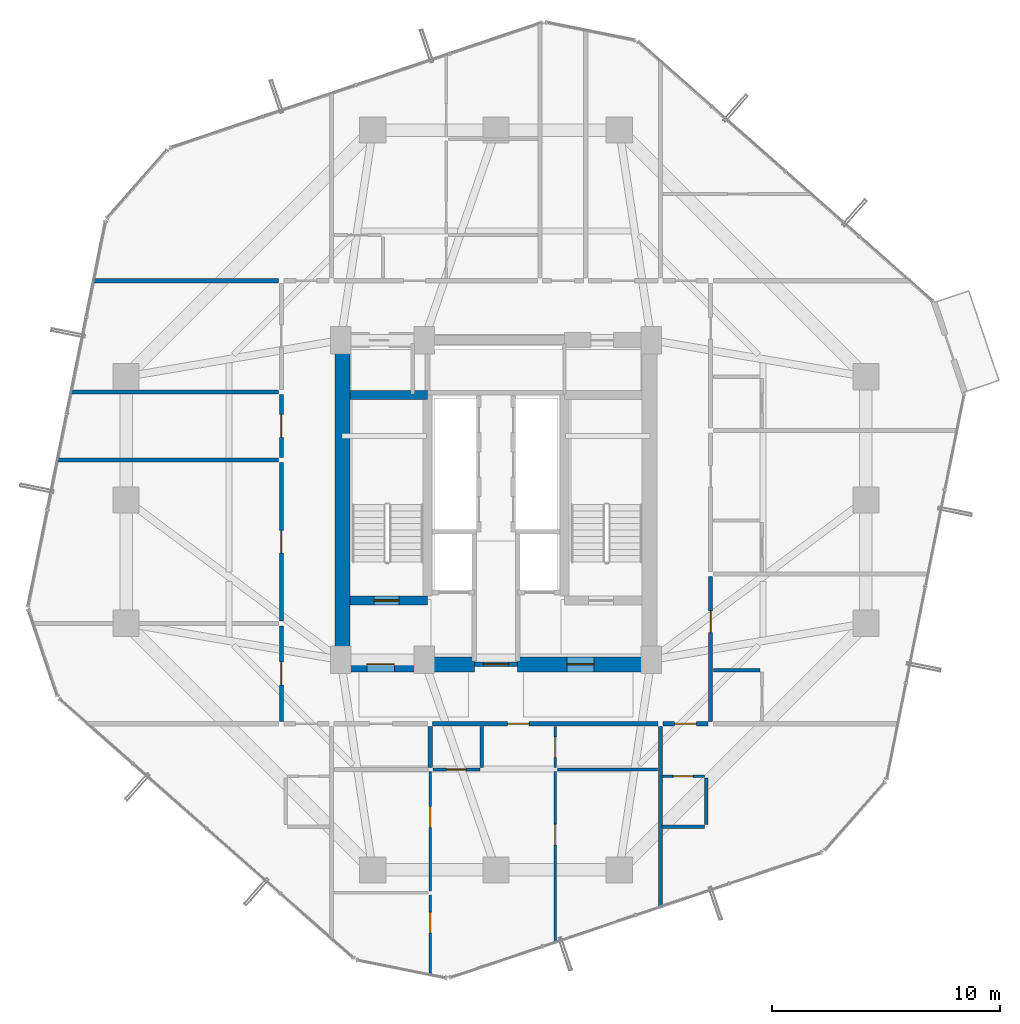
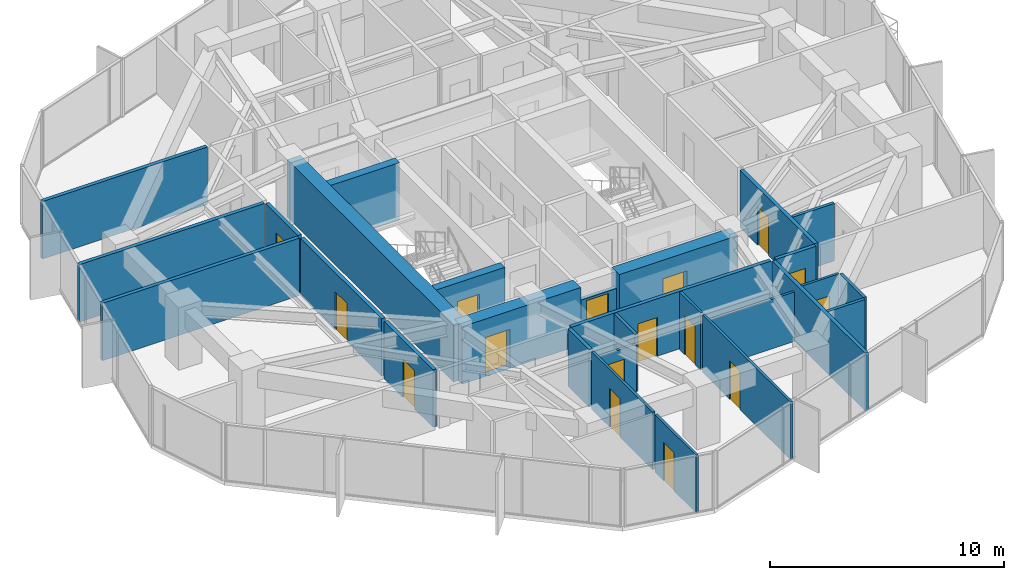
# One storey, part 28 of 32: 28 walls, 16 doors, 16 openings.
"""IFC4 building model written with IfcOpenShell, lengths in metres."""

from ifc_helpers import new_model, si_unit, direction, frame, frame_2d, origin, place, context, subcontext, project, spatial, rectangle, extrude, source, transform, mapped, material, layer, layer_set, type_object, element, fill, save


model = new_model("IFC4")

# Units and contexts
model_context = context("Model", 3, precision=1e-05, world=origin(), true_north=direction((0.0, 1.0)))
body_context = subcontext(model_context, "Body", "Model", "MODEL_VIEW")
ifc_project = project(units=[si_unit("LENGTHUNIT", "METRE"), si_unit("AREAUNIT", "SQUARE_METRE"), si_unit("VOLUMEUNIT", "CUBIC_METRE"), si_unit("PLANEANGLEUNIT", "RADIAN"), si_unit("MASSUNIT", "GRAM", prefix="KILO")], contexts=[model_context])

# Site, building, storey
site_placement = place(None, origin())
site = spatial("IfcSite", under=ifc_project, at=site_placement, CompositionType="ELEMENT")
building_placement = place(site_placement, origin())
building = spatial("IfcBuilding", under=site, at=building_placement, Name="Veraguas Prism Commons", CompositionType="ELEMENT")
storey_placement = place(building_placement, frame((0.0, 0.0, 89.449951171875)))
storey = spatial("IfcBuildingStorey", under=building, at=storey_placement, Name="L24", CompositionType="ELEMENT", Elevation=89.449951171875)

# Wall, opening, door
ifc_material_1 = material(Name="Concrete C50/60", Category="concrete")
ifc_layer_1 = layer(ifc_material_1, 0.39990234375, Name="Clinic and Mid Core Shear Wall RC 400", Category="concrete")
ifc_layer_set_1 = layer_set([ifc_layer_1], Name="Concrete C50/60")
wall_type_1 = type_object("IfcWallType", Name="Clinic and Mid Core Shear Wall RC 400", PredefinedType="SHEAR", material=ifc_layer_set_1)
wall_1_placement = place(storey_placement, frame((17.60009765625, 19.60009765625, 0.0), z_axis=(0.0, 0.0, 1.0), x_axis=(1.0, 0.0, 0.0)))
wall_1 = element("IfcWall", 1, at=wall_1_placement, inside=storey, type_object=wall_type_1, Name="Stair ST-01 South Shear Wall L24", PredefinedType="SHEAR", context=body_context, shape_type="SweptSolid", body=[
    extrude(rectangle(XDim=3.39990234375, YDim=0.39990234375, at=frame_2d((1.699951171875, 0.0))), origin(), (0.0, 0.0, 1.0), 3.0),
])
opening_1_placement = place(wall_1_placement, frame((1.050048828125, 0.0, 0.0)))
opening_1 = element("IfcOpeningElement", 2, at=opening_1_placement, cuts=wall_1, Name="Opening DR-05", PredefinedType="OPENING", context=body_context, shape_type="SweptSolid", body=[
    extrude(rectangle(XDim=1.10009765625, YDim=2.030029296875, at=frame_2d((0.550048828125, 1.01513671875))), frame((0.0, 0.2099609375, 0.0), z_axis=(0.0, -1.0, 0.0), x_axis=(1.0, 0.0, 0.0)), (0.0, 0.0, 1.0), 0.419921875),
])
ifc_material_2 = material(Name="Steel fire-rated door assembly", Category="steel")
door_type_1 = type_object("IfcDoorType", Name="Protected Stair and Refuge Fire Door 1100x2030", OperationType="NOTDEFINED", PredefinedType="DOOR", material=ifc_material_2)
shared_shape_1 = source(origin(), body_context, "Body", "SweptSolid", [
    extrude(rectangle(XDim=1.10009765625, YDim=2.030029296875, at=frame_2d((0.550048828125, 1.01513671875))), frame((0.0, 0.02490234375, 0.0), z_axis=(0.0, -1.0, 0.0), x_axis=(1.0, 0.0, 0.0)), (0.0, 0.0, 1.0), 0.050048828125),
])
door_1_placement = place(opening_1_placement, origin())
door_1 = element("IfcDoor", 3, at=door_1_placement, inside=storey, type_object=door_type_1, Name="Stair ST-01 Enclosure Door L24", OperationType="SINGLE_SWING_RIGHT", OverallHeight=2.030029296875, OverallWidth=1.10009765625, PredefinedType="DOOR", context=body_context, shape_type="MappedRepresentation", body=[
    mapped(shared_shape_1, transform((0.0, 0.0, 0.0), scale=1.0)),
])
fill(opening_1, door_1)

# Walls
wall_2_placement = place(storey_placement, frame((17.60009765625, 28.60009765625, 0.0), z_axis=(0.0, 0.0, 1.0), x_axis=(1.0, 0.0, 0.0)))
element("IfcWall", 4, at=wall_2_placement, inside=storey, type_object=wall_type_1, Name="Stair ST-01 North Shear Wall L24", PredefinedType="SHEAR", context=body_context, shape_type="SweptSolid", body=[
    extrude(rectangle(XDim=3.39990234375, YDim=0.39990234375, at=frame_2d((1.699951171875, 0.0))), origin(), (0.0, 0.0, 1.0), 3.0),
])
ifc_material_3 = material(Name="Concrete C55/67", Category="concrete")
ifc_layer_2 = layer(ifc_material_3, 0.64990234375, Name="Core Outer Shear Wall Mid RC 650", Category="concrete")
ifc_layer_set_2 = layer_set([ifc_layer_2], Name="Concrete C55/67")
wall_type_2 = type_object("IfcWallType", Name="Core Outer Shear Wall Mid RC 650", PredefinedType="SHEAR", material=ifc_layer_set_2)
wall_3_placement = place(storey_placement, frame((17.27490234375, 16.800048828125, 0.0), z_axis=(0.0, 0.0, 1.0), x_axis=(0.0, 1.0, 0.0)))
element("IfcWall", 5, at=wall_3_placement, inside=storey, type_object=wall_type_2, Name="Central Core West Shear Wall L24", PredefinedType="SHEAR", context=body_context, shape_type="SweptSolid", body=[
    extrude(rectangle(XDim=14.199951171875, YDim=0.64990234375, at=frame_2d((7.10009765625, 0.0))), origin(), (0.0, 0.0, 1.0), 3.0),
])

# Wall, opening, door
wall_4_placement = place(storey_placement, frame((17.199951171875, 16.800048828125, 0.0), z_axis=(0.0, 0.0, 1.0), x_axis=(1.0, 0.0, 0.0)))
wall_4 = element("IfcWall", 6, at=wall_4_placement, inside=storey, type_object=wall_type_2, Name="Central Core South-West Shear Wall L24", PredefinedType="SHEAR", context=body_context, shape_type="SweptSolid", body=[
    extrude(rectangle(XDim=5.85009765625, YDim=0.64990234375, at=frame_2d((2.925048828125, 0.0))), origin(), (0.0, 0.0, 1.0), 3.0),
])
opening_2_placement = place(wall_4_placement, frame((1.14990234375, 0.0, 0.0)))
opening_2 = element("IfcOpeningElement", 7, at=opening_2_placement, cuts=wall_4, Name="Opening DR-06", PredefinedType="OPENING", context=body_context, shape_type="SweptSolid", body=[
    extrude(rectangle(XDim=1.199951171875, YDim=2.030029296875, at=frame_2d((0.60009765625, 1.01513671875))), frame((0.0, 0.3349609375, 0.0), z_axis=(0.0, -1.0, 0.0), x_axis=(1.0, 0.0, 0.0)), (0.0, 0.0, 1.0), 0.669921875),
])
door_type_2 = type_object("IfcDoorType", Name="Firefighting Lobby Smoke Door 1200x2030", OperationType="NOTDEFINED", PredefinedType="DOOR", material=ifc_material_2)
shared_shape_2 = source(origin(), body_context, "Body", "SweptSolid", [
    extrude(rectangle(XDim=1.199951171875, YDim=2.030029296875, at=frame_2d((0.60009765625, 1.01513671875))), frame((0.0, 0.02490234375, 0.0), z_axis=(0.0, -1.0, 0.0), x_axis=(1.0, 0.0, 0.0)), (0.0, 0.0, 1.0), 0.050048828125),
])
door_2_placement = place(opening_2_placement, origin())
door_2 = element("IfcDoor", 8, at=door_2_placement, inside=storey, type_object=door_type_2, Name="West FF Lobby Door L24", OperationType="SINGLE_SWING_LEFT", OverallHeight=2.030029296875, OverallWidth=1.199951171875, PredefinedType="DOOR", context=body_context, shape_type="MappedRepresentation", body=[
    mapped(shared_shape_2, transform((0.0, 0.0, 0.0), scale=1.0)),
])
fill(opening_2, door_2)

wall_5_placement = place(storey_placement, frame((24.949951171875, 16.800048828125, 0.0), z_axis=(0.0, 0.0, 1.0), x_axis=(1.0, 0.0, 0.0)))
wall_5 = element("IfcWall", 9, at=wall_5_placement, inside=storey, type_object=wall_type_2, Name="Central Core South-East Shear Wall L24", PredefinedType="SHEAR", context=body_context, shape_type="SweptSolid", body=[
    extrude(rectangle(XDim=5.85009765625, YDim=0.64990234375, at=frame_2d((2.925048828125, 0.0))), origin(), (0.0, 0.0, 1.0), 3.0),
])
opening_3_placement = place(wall_5_placement, frame((2.14990234375, 0.0, 0.0)))
opening_3 = element("IfcOpeningElement", 10, at=opening_3_placement, cuts=wall_5, Name="Opening DR-06", PredefinedType="OPENING", context=body_context, shape_type="SweptSolid", body=[
    extrude(rectangle(XDim=1.199951171875, YDim=2.030029296875, at=frame_2d((0.60009765625, 1.01513671875))), frame((0.0, 0.3349609375, 0.0), z_axis=(0.0, -1.0, 0.0), x_axis=(1.0, 0.0, 0.0)), (0.0, 0.0, 1.0), 0.669921875),
])
door_3_placement = place(opening_3_placement, origin())
door_3 = element("IfcDoor", 11, at=door_3_placement, inside=storey, type_object=door_type_2, Name="East FF Lobby Door L24", OperationType="SINGLE_SWING_LEFT", OverallHeight=2.030029296875, OverallWidth=1.199951171875, PredefinedType="DOOR", context=body_context, shape_type="MappedRepresentation", body=[
    mapped(shared_shape_2, transform((0.0, 0.0, 0.0), scale=1.0)),
])
fill(opening_3, door_3)

# Wall
ifc_material_4 = material(Name="Autoclaved aerated masonry block 10 MPa", Category="masonry")
ifc_layer_3 = layer(ifc_material_4, 0.179931640625, Name="Corridor and Inter-Tenancy Partition 180", Category="masonry")
ifc_layer_set_3 = layer_set([ifc_layer_3], Name="Autoclaved aerated masonry block 10 MPa")
wall_type_3 = type_object("IfcWallType", Name="Corridor and Inter-Tenancy Partition 180", PredefinedType="PARTITIONING", material=ifc_layer_set_3)
wall_6_placement = place(storey_placement, frame((31.199951171875, 14.080078125, 0.0), z_axis=(0.0, 0.0, 1.0), x_axis=(0.0, -1.0, 0.0)))
element("IfcWall", 12, at=wall_6_placement, inside=storey, type_object=wall_type_3, Name="WL-L24-PT002", PredefinedType="PARTITIONING", context=body_context, shape_type="SweptSolid", body=[
    extrude(rectangle(XDim=7.927978515625, YDim=0.179931640625, at=frame_2d((3.9638671875, 0.0))), origin(), (0.0, 0.0, 1.0), 3.0),
])

# Wall, opening, door
wall_7_placement = place(storey_placement, frame((21.22998046875, 14.199951171875, 0.0), z_axis=(0.0, 0.0, 1.0), x_axis=(1.0, 0.0, 0.0)))
wall_7 = element("IfcWall", 13, at=wall_7_placement, inside=storey, type_object=wall_type_3, Name="WL-L24-PT004", PredefinedType="PARTITIONING", context=body_context, shape_type="SweptSolid", body=[
    extrude(rectangle(XDim=9.860107421875, YDim=0.179931640625, at=frame_2d((4.93017578125, 0.0))), origin(), (0.0, 0.0, 1.0), 3.0),
])
opening_4_placement = place(wall_7_placement, frame((3.27587890625, 0.0, 0.0)))
opening_4 = element("IfcOpeningElement", 14, at=opening_4_placement, cuts=wall_7, Name="Opening DR-01", PredefinedType="OPENING", context=body_context, shape_type="SweptSolid", body=[
    extrude(rectangle(XDim=0.949951171875, YDim=2.02001953125, at=frame_2d((0.47509765625, 1.010009765625))), frame((0.0, 0.099853515625, 0.0), z_axis=(0.0, -1.0, 0.0), x_axis=(1.0, 0.0, 0.0)), (0.0, 0.0, 1.0), 0.199951171875),
])
ifc_material_5 = material(Name="Anodised aluminium EN AW-6063 T6", Category="aluminium")
door_type_3 = type_object("IfcDoorType", Name="Apartment Entrance Fire Door 950x2020", OperationType="NOTDEFINED", PredefinedType="DOOR", material=ifc_material_5)
shared_shape_3 = source(origin(), body_context, "Body", "SweptSolid", [
    extrude(rectangle(XDim=0.949951171875, YDim=2.02001953125, at=frame_2d((0.47509765625, 1.010009765625))), frame((0.0, 0.02490234375, 0.0), z_axis=(0.0, -1.0, 0.0), x_axis=(1.0, 0.0, 0.0)), (0.0, 0.0, 1.0), 0.050048828125),
])
door_4_placement = place(opening_4_placement, origin())
door_4 = element("IfcDoor", 15, at=door_4_placement, inside=storey, type_object=door_type_3, Name="Flat 24A Entrance Door", OperationType="SINGLE_SWING_LEFT", OverallHeight=2.02001953125, OverallWidth=0.949951171875, PredefinedType="DOOR", context=body_context, shape_type="MappedRepresentation", body=[
    mapped(shared_shape_3, transform((0.0, 0.0, 0.0), scale=1.0)),
])
fill(opening_4, door_4)

# Walls
wall_8_placement = place(storey_placement, frame((21.1201171875, 14.080078125, 0.0), z_axis=(0.0, 0.0, 1.0), x_axis=(0.0, -1.0, 0.0)))
element("IfcWall", 16, at=wall_8_placement, inside=storey, type_object=wall_type_3, Name="WL-L24-PT008", PredefinedType="PARTITIONING", context=body_context, shape_type="SweptSolid", body=[
    extrude(rectangle(XDim=1.800048828125, YDim=0.179931640625, at=frame_2d((0.89990234375, 0.0))), origin(), (0.0, 0.0, 1.0), 3.0),
])
wall_9_placement = place(storey_placement, frame((14.47998046875, 33.60009765625, 0.0), z_axis=(0.0, 0.0, 1.0), x_axis=(-1.0, 0.0, 0.0)))
element("IfcWall", 17, at=wall_9_placement, inside=storey, type_object=wall_type_3, Name="WL-L24-PT030", PredefinedType="PARTITIONING", context=body_context, shape_type="SweptSolid", body=[
    extrude(rectangle(XDim=8.1455078125, YDim=0.179931640625, at=frame_2d((4.07275390625, 0.0))), origin(), (0.0, 0.0, 1.0), 3.0),
])

# Wall, opening, door
wall_10_placement = place(storey_placement, frame((14.60009765625, 14.31005859375, 0.0), z_axis=(0.0, 0.0, 1.0), x_axis=(0.0, 1.0, 0.0)))
wall_10 = element("IfcWall", 18, at=wall_10_placement, inside=storey, type_object=wall_type_3, Name="WL-L24-PT031", PredefinedType="PARTITIONING", context=body_context, shape_type="SweptSolid", body=[
    extrude(rectangle(XDim=4.171875, YDim=0.179931640625, at=frame_2d((2.0859375, 0.0))), origin(), (0.0, 0.0, 1.0), 3.0),
])
opening_5_placement = place(wall_10_placement, frame((1.5859375, 0.0, 0.0)))
opening_5 = element("IfcOpeningElement", 19, at=opening_5_placement, cuts=wall_10, Name="Opening DR-13", PredefinedType="OPENING", context=body_context, shape_type="SweptSolid", body=[
    extrude(rectangle(XDim=1.0, YDim=2.010009765625, at=frame_2d((0.5, 1.0048828125))), frame((0.0, 0.099853515625, 0.0), z_axis=(0.0, -1.0, 0.0), x_axis=(1.0, 0.0, 0.0)), (0.0, 0.0, 1.0), 0.199951171875),
])
door_type_4 = type_object("IfcDoorType", Name="Core Accessible WC and Clinic Fire Door 1000x2010", OperationType="NOTDEFINED", PredefinedType="DOOR", material=ifc_material_2)
shared_shape_4 = source(origin(), body_context, "Body", "SweptSolid", [
    extrude(rectangle(XDim=1.0, YDim=2.010009765625, at=frame_2d((0.5, 1.0048828125))), frame((0.0, 0.02490234375, 0.0), z_axis=(0.0, -1.0, 0.0), x_axis=(1.0, 0.0, 0.0)), (0.0, 0.0, 1.0), 0.050048828125),
])
door_5_placement = place(opening_5_placement, origin())
door_5 = element("IfcDoor", 20, at=door_5_placement, inside=storey, type_object=door_type_4, Name="Residents Study Room Door", OperationType="SINGLE_SWING_RIGHT", OverallHeight=2.010009765625, OverallWidth=1.0, PredefinedType="DOOR", context=body_context, shape_type="MappedRepresentation", body=[
    mapped(shared_shape_4, transform((0.0, 0.0, 0.0), scale=1.0)),
])
fill(opening_5, door_5)

wall_11_placement = place(storey_placement, frame((14.60009765625, 18.701904296875, 0.0), z_axis=(0.0, 0.0, 1.0), x_axis=(0.0, 1.0, 0.0)))
wall_11 = element("IfcWall", 21, at=wall_11_placement, inside=storey, type_object=wall_type_3, Name="WL-L24-PT032", PredefinedType="PARTITIONING", context=body_context, shape_type="SweptSolid", body=[
    extrude(rectangle(XDim=6.946044921875, YDim=0.179931640625, at=frame_2d((3.47314453125, 0.0))), origin(), (0.0, 0.0, 1.0), 3.0),
])
opening_6_placement = place(wall_11_placement, frame((2.972900390625, 0.0, 0.0)))
opening_6 = element("IfcOpeningElement", 22, at=opening_6_placement, cuts=wall_11, Name="Opening DR-13", PredefinedType="OPENING", context=body_context, shape_type="SweptSolid", body=[
    extrude(rectangle(XDim=1.0, YDim=2.010009765625, at=frame_2d((0.5, 1.0048828125))), frame((0.0, 0.099853515625, 0.0), z_axis=(0.0, -1.0, 0.0), x_axis=(1.0, 0.0, 0.0)), (0.0, 0.0, 1.0), 0.199951171875),
])
door_6_placement = place(opening_6_placement, origin())
door_6 = element("IfcDoor", 23, at=door_6_placement, inside=storey, type_object=door_type_4, Name="Co-op Store W Door", OperationType="SINGLE_SWING_LEFT", OverallHeight=2.010009765625, OverallWidth=1.0, PredefinedType="DOOR", context=body_context, shape_type="MappedRepresentation", body=[
    mapped(shared_shape_4, transform((0.0, 0.0, 0.0), scale=1.0)),
])
fill(opening_6, door_6)

# Wall
wall_12_placement = place(storey_placement, frame((14.47998046875, 25.758056640625, 0.0), z_axis=(0.0, 0.0, 1.0), x_axis=(-1.0, 0.0, 0.0)))
element("IfcWall", 24, at=wall_12_placement, inside=storey, type_object=wall_type_3, Name="WL-L24-PT034", PredefinedType="PARTITIONING", context=body_context, shape_type="SweptSolid", body=[
    extrude(rectangle(XDim=9.723876953125, YDim=0.179931640625, at=frame_2d((4.86181640625, 0.0))), origin(), (0.0, 0.0, 1.0), 3.0),
])

# Wall, opening, door
wall_13_placement = place(storey_placement, frame((14.60009765625, 25.867919921875, 0.0), z_axis=(0.0, 0.0, 1.0), x_axis=(0.0, 1.0, 0.0)))
wall_13 = element("IfcWall", 25, at=wall_13_placement, inside=storey, type_object=wall_type_3, Name="WL-L24-PT035", PredefinedType="PARTITIONING", context=body_context, shape_type="SweptSolid", body=[
    extrude(rectangle(XDim=2.760009765625, YDim=0.179931640625, at=frame_2d((1.3798828125, 0.0))), origin(), (0.0, 0.0, 1.0), 3.0),
])
opening_7_placement = place(wall_13_placement, frame((0.8798828125, 0.0, 0.0)))
opening_7 = element("IfcOpeningElement", 26, at=opening_7_placement, cuts=wall_13, Name="Opening DR-13", PredefinedType="OPENING", context=body_context, shape_type="SweptSolid", body=[
    extrude(rectangle(XDim=1.0, YDim=2.010009765625, at=frame_2d((0.5, 1.0048828125))), frame((0.0, 0.099853515625, 0.0), z_axis=(0.0, -1.0, 0.0), x_axis=(1.0, 0.0, 0.0)), (0.0, 0.0, 1.0), 0.199951171875),
])
door_7_placement = place(opening_7_placement, origin())
door_7 = element("IfcDoor", 27, at=door_7_placement, inside=storey, type_object=door_type_4, Name="Shared Laundry Room Door", OperationType="SINGLE_SWING_RIGHT", OverallHeight=2.010009765625, OverallWidth=1.0, PredefinedType="DOOR", context=body_context, shape_type="MappedRepresentation", body=[
    mapped(shared_shape_4, transform((0.0, 0.0, 0.0), scale=1.0)),
])
fill(opening_7, door_7)

# Wall
wall_14_placement = place(storey_placement, frame((14.47998046875, 28.738037109375, 0.0), z_axis=(0.0, 0.0, 1.0), x_axis=(-1.0, 0.0, 0.0)))
element("IfcWall", 28, at=wall_14_placement, inside=storey, type_object=wall_type_3, Name="WL-L24-PT037", PredefinedType="PARTITIONING", context=body_context, shape_type="SweptSolid", body=[
    extrude(rectangle(XDim=9.1240234375, YDim=0.179931640625, at=frame_2d((4.56201171875, 0.0))), origin(), (0.0, 0.0, 1.0), 3.0),
])

# Wall, opening, door
wall_15_placement = place(storey_placement, frame((33.39990234375, 14.31005859375, 0.0), z_axis=(0.0, 0.0, 1.0), x_axis=(0.0, 1.0, 0.0)))
wall_15 = element("IfcWall", 29, at=wall_15_placement, inside=storey, type_object=wall_type_3, Name="WL-L24-PT040", PredefinedType="PARTITIONING", context=body_context, shape_type="SweptSolid", body=[
    extrude(rectangle(XDim=6.33203125, YDim=0.179931640625, at=frame_2d((3.166015625, 0.0))), origin(), (0.0, 0.0, 1.0), 3.0),
])
opening_8_placement = place(wall_15_placement, frame((3.88671875, 0.0, 0.0)))
opening_8 = element("IfcOpeningElement", 30, at=opening_8_placement, cuts=wall_15, Name="Opening DR-01", PredefinedType="OPENING", context=body_context, shape_type="SweptSolid", body=[
    extrude(rectangle(XDim=0.949951171875, YDim=2.02001953125, at=frame_2d((0.47509765625, 1.010009765625))), frame((0.0, 0.099853515625, 0.0), z_axis=(0.0, -1.0, 0.0), x_axis=(1.0, 0.0, 0.0)), (0.0, 0.0, 1.0), 0.199951171875),
])
door_8_placement = place(opening_8_placement, origin())
door_8 = element("IfcDoor", 31, at=door_8_placement, inside=storey, type_object=door_type_3, Name="Studio 24C Entrance Door", OperationType="SINGLE_SWING_RIGHT", OverallHeight=2.02001953125, OverallWidth=0.949951171875, PredefinedType="DOOR", context=body_context, shape_type="MappedRepresentation", body=[
    mapped(shared_shape_3, transform((0.0, 0.0, 0.0), scale=1.0)),
])
fill(opening_8, door_8)

wall_16_placement = place(storey_placement, frame((31.320068359375, 14.199951171875, 0.0), z_axis=(0.0, 0.0, 1.0), x_axis=(1.0, 0.0, 0.0)))
wall_16 = element("IfcWall", 32, at=wall_16_placement, inside=storey, type_object=wall_type_3, Name="WL-L24-PT055", PredefinedType="PARTITIONING", context=body_context, shape_type="SweptSolid", body=[
    extrude(rectangle(XDim=1.9599609375, YDim=0.179931640625, at=frame_2d((0.97998046875, 0.0))), origin(), (0.0, 0.0, 1.0), 3.0),
])
opening_9_placement = place(wall_16_placement, frame((0.5048828125, 0.0, 0.0)))
opening_9 = element("IfcOpeningElement", 33, at=opening_9_placement, cuts=wall_16, Name="Opening DR-01", PredefinedType="OPENING", context=body_context, shape_type="SweptSolid", body=[
    extrude(rectangle(XDim=0.949951171875, YDim=2.02001953125, at=frame_2d((0.47509765625, 1.010009765625))), frame((0.0, 0.099853515625, 0.0), z_axis=(0.0, -1.0, 0.0), x_axis=(1.0, 0.0, 0.0)), (0.0, 0.0, 1.0), 0.199951171875),
])
door_9_placement = place(opening_9_placement, origin())
door_9 = element("IfcDoor", 34, at=door_9_placement, inside=storey, type_object=door_type_3, Name="Studio 24G Entrance Door", OperationType="SINGLE_SWING_RIGHT", OverallHeight=2.02001953125, OverallWidth=0.949951171875, PredefinedType="DOOR", context=body_context, shape_type="MappedRepresentation", body=[
    mapped(shared_shape_3, transform((0.0, 0.0, 0.0), scale=1.0)),
])
fill(opening_9, door_9)

ifc_material_6 = material(Name="Lightweight acoustic gypsum board")
ifc_layer_4 = layer(ifc_material_6, 0.125, Name="Internal Apartment Room Partition 125")
ifc_layer_set_4 = layer_set([ifc_layer_4], Name="Lightweight acoustic gypsum board")
wall_type_4 = type_object("IfcWallType", Name="Internal Apartment Room Partition 125", PredefinedType="PARTITIONING", material=ifc_layer_set_4)
wall_17_placement = place(storey_placement, frame((21.1201171875, 6.699951171875, 0.0), z_axis=(0.0, 0.0, 1.0), x_axis=(0.0, -1.0, 0.0)))
wall_17 = element("IfcWall", 35, at=wall_17_placement, inside=storey, type_object=wall_type_4, Name="WL-L24-PT006", PredefinedType="PARTITIONING", context=body_context, shape_type="SweptSolid", body=[
    extrude(rectangle(XDim=3.522216796875, YDim=0.125, at=frame_2d((1.76123046875, 0.0))), origin(), (0.0, 0.0, 1.0), 3.0),
])
opening_10_placement = place(wall_17_placement, frame((0.755615234375, 0.0, 0.0)))
opening_10 = element("IfcOpeningElement", 36, at=opening_10_placement, cuts=wall_17, Name="Opening DR-02", PredefinedType="OPENING", context=body_context, shape_type="SweptSolid", body=[
    extrude(rectangle(XDim=0.89990234375, YDim=2.010009765625, at=frame_2d((0.449951171875, 1.0048828125))), frame((0.0, 0.072509765625, 0.0), z_axis=(0.0, -1.0, 0.0), x_axis=(1.0, 0.0, 0.0)), (0.0, 0.0, 1.0), 0.14501953125),
])
ifc_material_7 = material(Name="Timber solid core hardwood", Category="wood")
door_type_5 = type_object("IfcDoorType", Name="Internal Habitable Room Door 900x2010", OperationType="NOTDEFINED", PredefinedType="DOOR", material=ifc_material_7)
shared_shape_5 = source(origin(), body_context, "Body", "SweptSolid", [
    extrude(rectangle(XDim=0.89990234375, YDim=2.010009765625, at=frame_2d((0.449951171875, 1.0048828125))), frame((0.0, 0.02490234375, 0.0), z_axis=(0.0, -1.0, 0.0), x_axis=(1.0, 0.0, 0.0)), (0.0, 0.0, 1.0), 0.050048828125),
])
door_10_placement = place(opening_10_placement, origin())
door_10 = element("IfcDoor", 37, at=door_10_placement, inside=storey, type_object=door_type_5, Name="Flat 24A Bedroom 3 Door", OperationType="SINGLE_SWING_RIGHT", OverallHeight=2.010009765625, OverallWidth=0.89990234375, PredefinedType="DOOR", context=body_context, shape_type="MappedRepresentation", body=[
    mapped(shared_shape_5, transform((0.0, 0.0, 0.0), scale=1.0)),
])
fill(opening_10, door_10)

wall_18_placement = place(storey_placement, frame((21.1201171875, 12.10009765625, 0.0), z_axis=(0.0, 0.0, 1.0), x_axis=(0.0, -1.0, 0.0)))
wall_18 = element("IfcWall", 38, at=wall_18_placement, inside=storey, type_object=wall_type_4, Name="WL-L24-PT009", PredefinedType="PARTITIONING", context=body_context, shape_type="SweptSolid", body=[
    extrude(rectangle(XDim=5.22021484375, YDim=0.125, at=frame_2d((2.610107421875, 0.0))), origin(), (0.0, 0.0, 1.0), 3.0),
])
opening_11_placement = place(wall_18_placement, frame((1.53271484375, 0.0, 0.0)))
opening_11 = element("IfcOpeningElement", 39, at=opening_11_placement, cuts=wall_18, Name="Opening DR-02", PredefinedType="OPENING", context=body_context, shape_type="SweptSolid", body=[
    extrude(rectangle(XDim=0.89990234375, YDim=2.010009765625, at=frame_2d((0.449951171875, 1.0048828125))), frame((0.0, 0.072509765625, 0.0), z_axis=(0.0, -1.0, 0.0), x_axis=(1.0, 0.0, 0.0)), (0.0, 0.0, 1.0), 0.14501953125),
])
door_11_placement = place(opening_11_placement, origin())
door_11 = element("IfcDoor", 40, at=door_11_placement, inside=storey, type_object=door_type_5, Name="Flat 24A Bedroom 2 Door", OperationType="SINGLE_SWING_LEFT", OverallHeight=2.010009765625, OverallWidth=0.89990234375, PredefinedType="DOOR", context=body_context, shape_type="MappedRepresentation", body=[
    mapped(shared_shape_5, transform((0.0, 0.0, 0.0), scale=1.0)),
])
fill(opening_11, door_11)

wall_19_placement = place(storey_placement, frame((21.239990234375, 12.199951171875, 0.0), z_axis=(0.0, 0.0, 1.0), x_axis=(1.0, 0.0, 0.0)))
wall_19 = element("IfcWall", 41, at=wall_19_placement, inside=storey, type_object=wall_type_4, Name="WL-L24-PT011", PredefinedType="PARTITIONING", context=body_context, shape_type="SweptSolid", body=[
    extrude(rectangle(XDim=2.050048828125, YDim=0.125, at=frame_2d((1.02490234375, 0.0))), origin(), (0.0, 0.0, 1.0), 2.580078125),
])
opening_12_placement = place(wall_19_placement, frame((0.594970703125, 0.0, 0.0)))
opening_12 = element("IfcOpeningElement", 42, at=opening_12_placement, cuts=wall_19, Name="Opening DR-03", PredefinedType="OPENING", context=body_context, shape_type="SweptSolid", body=[
    extrude(rectangle(XDim=0.860107421875, YDim=2.010009765625, at=frame_2d((0.43017578125, 1.0048828125))), frame((0.0, 0.072509765625, 0.0), z_axis=(0.0, -1.0, 0.0), x_axis=(1.0, 0.0, 0.0)), (0.0, 0.0, 1.0), 0.14501953125),
])
ifc_material_8 = material(Name="Timber moisture-resistant leaf", Category="wood")
door_type_6 = type_object("IfcDoorType", Name="Internal Bathroom Door 860x2010", OperationType="NOTDEFINED", PredefinedType="DOOR", material=ifc_material_8)
shared_shape_6 = source(origin(), body_context, "Body", "SweptSolid", [
    extrude(rectangle(XDim=0.860107421875, YDim=2.010009765625, at=frame_2d((0.43017578125, 1.0048828125))), frame((0.0, 0.02490234375, 0.0), z_axis=(0.0, -1.0, 0.0), x_axis=(1.0, 0.0, 0.0)), (0.0, 0.0, 1.0), 0.050048828125),
])
door_12_placement = place(opening_12_placement, origin())
door_12 = element("IfcDoor", 43, at=door_12_placement, inside=storey, type_object=door_type_6, Name="Flat 24A Bathroom Door", OperationType="SINGLE_SWING_RIGHT", OverallHeight=2.010009765625, OverallWidth=0.860107421875, PredefinedType="DOOR", context=body_context, shape_type="MappedRepresentation", body=[
    mapped(shared_shape_6, transform((0.0, 0.0, 0.0), scale=1.0)),
])
fill(opening_12, door_12)

wall_20_placement = place(storey_placement, frame((26.592041015625, 14.080078125, 0.0), z_axis=(0.0, 0.0, 1.0), x_axis=(0.0, -1.0, 0.0)))
wall_20 = element("IfcWall", 44, at=wall_20_placement, inside=storey, type_object=wall_type_4, Name="WL-L24-PT012", PredefinedType="PARTITIONING", context=body_context, shape_type="SweptSolid", body=[
    extrude(rectangle(XDim=1.800048828125, YDim=0.125, at=frame_2d((0.89990234375, 0.0))), origin(), (0.0, 0.0, 1.0), 3.0),
])
opening_13_placement = place(wall_20_placement, frame((0.449951171875, 0.0, 0.0)))
opening_13 = element("IfcOpeningElement", 45, at=opening_13_placement, cuts=wall_20, Name="Opening DR-02", PredefinedType="OPENING", context=body_context, shape_type="SweptSolid", body=[
    extrude(rectangle(XDim=0.89990234375, YDim=2.010009765625, at=frame_2d((0.449951171875, 1.0048828125))), frame((0.0, 0.072509765625, 0.0), z_axis=(0.0, -1.0, 0.0), x_axis=(1.0, 0.0, 0.0)), (0.0, 0.0, 1.0), 0.14501953125),
])
door_13_placement = place(opening_13_placement, origin())
door_13 = element("IfcDoor", 46, at=door_13_placement, inside=storey, type_object=door_type_5, Name="Flat 24A Kitchen Door", OperationType="SINGLE_SWING_LEFT", OverallHeight=2.010009765625, OverallWidth=0.89990234375, PredefinedType="DOOR", context=body_context, shape_type="MappedRepresentation", body=[
    mapped(shared_shape_5, transform((0.0, 0.0, 0.0), scale=1.0)),
])
fill(opening_13, door_13)

# Wall
wall_21_placement = place(storey_placement, frame((26.69189453125, 12.199951171875, 0.0), z_axis=(0.0, 0.0, 1.0), x_axis=(1.0, 0.0, 0.0)))
element("IfcWall", 47, at=wall_21_placement, inside=storey, type_object=wall_type_4, Name="WL-L24-PT013", PredefinedType="PARTITIONING", context=body_context, shape_type="SweptSolid", body=[
    extrude(rectangle(XDim=4.38818359375, YDim=0.125, at=frame_2d((2.194091796875, 0.0))), origin(), (0.0, 0.0, 1.0), 2.580078125),
])

# Wall, opening, door
wall_22_placement = place(storey_placement, frame((26.592041015625, 12.10009765625, 0.0), z_axis=(0.0, 0.0, 1.0), x_axis=(0.0, -1.0, 0.0)))
wall_22 = element("IfcWall", 48, at=wall_22_placement, inside=storey, type_object=wall_type_4, Name="WL-L24-PT014", PredefinedType="PARTITIONING", context=body_context, shape_type="SweptSolid", body=[
    extrude(rectangle(XDim=7.50048828125, YDim=0.125, at=frame_2d((3.750244140625, 0.0))), origin(), (0.0, 0.0, 1.0), 3.0),
])
opening_14_placement = place(wall_22_placement, frame((2.30810546875, 0.0, 0.0)))
opening_14 = element("IfcOpeningElement", 49, at=opening_14_placement, cuts=wall_22, Name="Opening DR-02", PredefinedType="OPENING", context=body_context, shape_type="SweptSolid", body=[
    extrude(rectangle(XDim=0.89990234375, YDim=2.010009765625, at=frame_2d((0.449951171875, 1.0048828125))), frame((0.0, 0.072509765625, 0.0), z_axis=(0.0, -1.0, 0.0), x_axis=(1.0, 0.0, 0.0)), (0.0, 0.0, 1.0), 0.14501953125),
])
door_14_placement = place(opening_14_placement, origin())
door_14 = element("IfcDoor", 50, at=door_14_placement, inside=storey, type_object=door_type_5, Name="Flat 24A Bedroom 1 Door", OperationType="SINGLE_SWING_RIGHT", OverallHeight=2.010009765625, OverallWidth=0.89990234375, PredefinedType="DOOR", context=body_context, shape_type="MappedRepresentation", body=[
    mapped(shared_shape_5, transform((0.0, 0.0, 0.0), scale=1.0)),
])
fill(opening_14, door_14)

wall_23_placement = place(storey_placement, frame((31.280029296875, 11.89990234375, 0.0), z_axis=(0.0, 0.0, 1.0), x_axis=(1.0, 0.0, 0.0)))
wall_23 = element("IfcWall", 51, at=wall_23_placement, inside=storey, type_object=wall_type_4, Name="WL-L24-PT056", PredefinedType="PARTITIONING", context=body_context, shape_type="SweptSolid", body=[
    extrude(rectangle(XDim=1.840087890625, YDim=0.125, at=frame_2d((0.919921875, 0.0))), origin(), (0.0, 0.0, 1.0), 3.0),
])
opening_15_placement = place(wall_23_placement, frame((0.489990234375, 0.0, 0.0)))
opening_15 = element("IfcOpeningElement", 52, at=opening_15_placement, cuts=wall_23, Name="Opening DR-03", PredefinedType="OPENING", context=body_context, shape_type="SweptSolid", body=[
    extrude(rectangle(XDim=0.860107421875, YDim=2.010009765625, at=frame_2d((0.43017578125, 1.0048828125))), frame((0.0, 0.072509765625, 0.0), z_axis=(0.0, -1.0, 0.0), x_axis=(1.0, 0.0, 0.0)), (0.0, 0.0, 1.0), 0.14501953125),
])
door_15_placement = place(opening_15_placement, origin())
door_15 = element("IfcDoor", 53, at=door_15_placement, inside=storey, type_object=door_type_6, Name="Studio 24G Bathroom Door", OperationType="SINGLE_SWING_LEFT", OverallHeight=2.010009765625, OverallWidth=0.860107421875, PredefinedType="DOOR", context=body_context, shape_type="MappedRepresentation", body=[
    mapped(shared_shape_6, transform((0.0, 0.0, 0.0), scale=1.0)),
])
fill(opening_15, door_15)

ifc_layer_5 = layer(ifc_material_4, 0.199951171875, Name="Rated Shaft and Lobby Block Wall 200", Category="masonry")
ifc_layer_set_5 = layer_set([ifc_layer_5], Name="Autoclaved aerated masonry block 10 MPa")
wall_type_5 = type_object("IfcWallType", Name="Rated Shaft and Lobby Block Wall 200", PredefinedType="SOLIDWALL", material=ifc_layer_set_5)
wall_24_placement = place(storey_placement, frame((23.050048828125, 16.800048828125, 0.0), z_axis=(0.0, 0.0, 1.0), x_axis=(1.0, 0.0, 0.0)))
wall_24 = element("IfcWall", 54, at=wall_24_placement, inside=storey, type_object=wall_type_5, Name="Central Core Lobby Entrance Wall L24", PredefinedType="SOLIDWALL", context=body_context, shape_type="SweptSolid", body=[
    extrude(rectangle(XDim=1.89990234375, YDim=0.199951171875, at=frame_2d((0.949951171875, 0.0))), origin(), (0.0, 0.0, 1.0), 2.150146484375),
])
opening_16_placement = place(wall_24_placement, frame((0.39990234375, 0.0, 0.0)))
opening_16 = element("IfcOpeningElement", 55, at=opening_16_placement, cuts=wall_24, Name="Opening DR-05", PredefinedType="OPENING", context=body_context, shape_type="SweptSolid", body=[
    extrude(rectangle(XDim=1.10009765625, YDim=2.030029296875, at=frame_2d((0.550048828125, 1.01513671875))), frame((0.0, 0.10986328125, 0.0), z_axis=(0.0, -1.0, 0.0), x_axis=(1.0, 0.0, 0.0)), (0.0, 0.0, 1.0), 0.219970703125),
])
door_16_placement = place(opening_16_placement, origin())
door_16 = element("IfcDoor", 56, at=door_16_placement, inside=storey, type_object=door_type_1, Name="Central Lobby Door L24", OperationType="SINGLE_SWING_RIGHT", OverallHeight=2.030029296875, OverallWidth=1.10009765625, PredefinedType="DOOR", context=body_context, shape_type="MappedRepresentation", body=[
    mapped(shared_shape_1, transform((0.0, 0.0, 0.0), scale=1.0)),
])
fill(opening_16, door_16)

# Walls
ifc_layer_6 = layer(ifc_material_6, 0.14990234375, Name="Wet Room and Clinic Acoustic Partition 150")
ifc_layer_set_6 = layer_set([ifc_layer_6], Name="Lightweight acoustic gypsum board")
wall_type_6 = type_object("IfcWallType", Name="Wet Room and Clinic Acoustic Partition 150", PredefinedType="PARTITIONING", material=ifc_layer_set_6)
wall_25_placement = place(storey_placement, frame((23.3701171875, 14.080078125, 0.0), z_axis=(0.0, 0.0, 1.0), x_axis=(0.0, -1.0, 0.0)))
element("IfcWall", 57, at=wall_25_placement, inside=storey, type_object=wall_type_6, Name="WL-L24-PT010", PredefinedType="PARTITIONING", context=body_context, shape_type="SweptSolid", body=[
    extrude(rectangle(XDim=1.800048828125, YDim=0.14990234375, at=frame_2d((0.89990234375, 0.0))), origin(), (0.0, 0.0, 1.0), 3.0),
])
wall_26_placement = place(storey_placement, frame((33.52001953125, 16.550048828125, 0.0), z_axis=(0.0, 0.0, 1.0), x_axis=(1.0, 0.0, 0.0)))
element("IfcWall", 58, at=wall_26_placement, inside=storey, type_object=wall_type_6, Name="WL-L24-PT041", PredefinedType="PARTITIONING", context=body_context, shape_type="SweptSolid", body=[
    extrude(rectangle(XDim=2.050048828125, YDim=0.14990234375, at=frame_2d((1.02490234375, 0.0))), origin(), (0.0, 0.0, 1.0), 3.0),
])
wall_27_placement = place(storey_placement, frame((31.280029296875, 9.699951171875, 0.0), z_axis=(0.0, 0.0, 1.0), x_axis=(1.0, 0.0, 0.0)))
element("IfcWall", 59, at=wall_27_placement, inside=storey, type_object=wall_type_6, Name="WL-L24-PT057", PredefinedType="PARTITIONING", context=body_context, shape_type="SweptSolid", body=[
    extrude(rectangle(XDim=1.840087890625, YDim=0.14990234375, at=frame_2d((0.919921875, 0.0))), origin(), (0.0, 0.0, 1.0), 3.0),
])
wall_28_placement = place(storey_placement, frame((33.199951171875, 9.780029296875, 0.0), z_axis=(0.0, 0.0, 1.0), x_axis=(0.0, 1.0, 0.0)))
element("IfcWall", 60, at=wall_28_placement, inside=storey, type_object=wall_type_6, Name="WL-L24-PT058", PredefinedType="PARTITIONING", context=body_context, shape_type="SweptSolid", body=[
    extrude(rectangle(XDim=2.0400390625, YDim=0.14990234375, at=frame_2d((1.02001953125, 0.0))), origin(), (0.0, 0.0, 1.0), 3.0),
])

save(model, "model.ifc")
